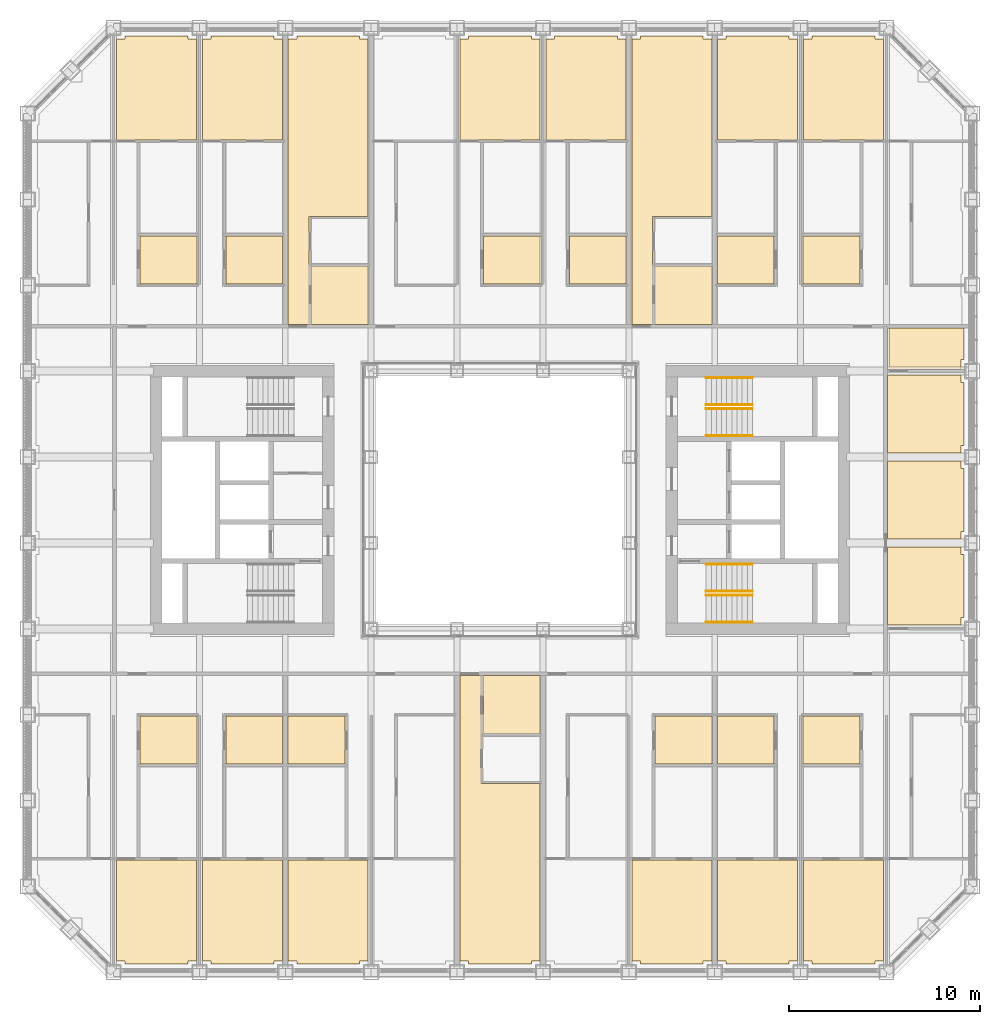
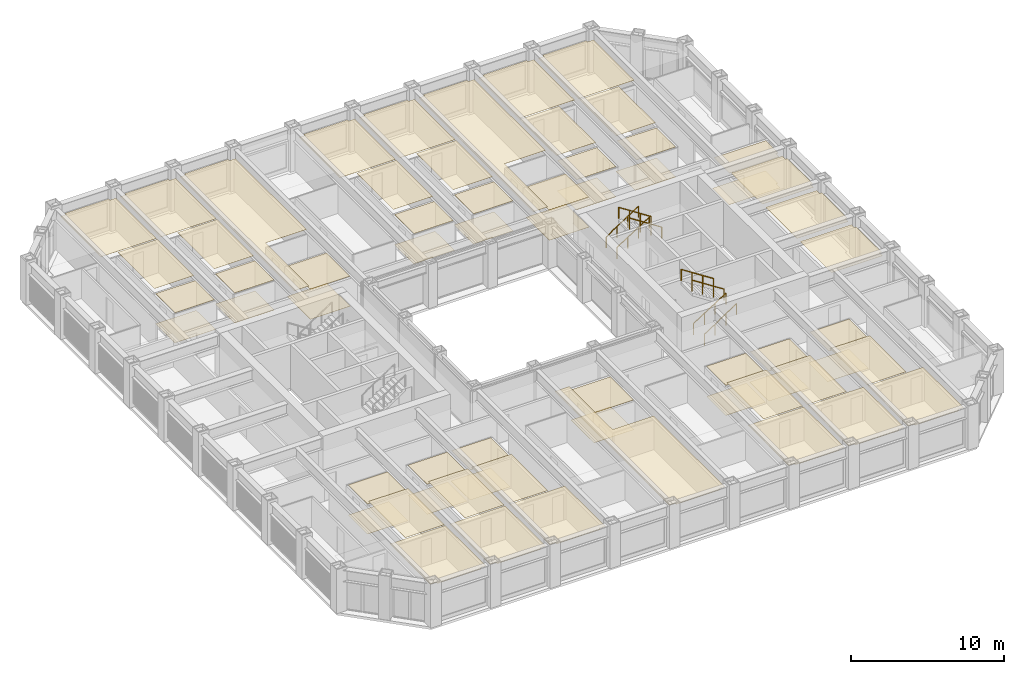
# One storey, part 19 of 20: 8 railings, 3 coverings.
"""IFC4 building model written with IfcOpenShell, lengths in metres."""

from ifc_helpers import new_model, si_unit, direction, frame, origin, origin_2d, place, context, subcontext, project, spatial, line, indexed_curve, circle, outline, extrude, material, layer, layer_set, type_object, element, save


model = new_model("IFC4")

# Units and contexts
model_context = context("Model", 3, precision=1e-05, world=origin(), true_north=direction((0.0, 1.0)))
body_context = subcontext(model_context, "Body", "Model", "MODEL_VIEW")
ifc_project = project(units=[si_unit("LENGTHUNIT", "METRE"), si_unit("AREAUNIT", "SQUARE_METRE"), si_unit("VOLUMEUNIT", "CUBIC_METRE"), si_unit("PLANEANGLEUNIT", "RADIAN"), si_unit("MASSUNIT", "GRAM", prefix="KILO")], contexts=[model_context])

# Site, building, storey
site_placement = place(None, origin())
site = spatial("IfcSite", under=ifc_project, at=site_placement, CompositionType="ELEMENT")
building_placement = place(site_placement, origin())
building = spatial("IfcBuilding", under=site, at=building_placement, Name="Msasa Ring Tower", CompositionType="ELEMENT")
storey_placement = place(building_placement, frame((0.0, 0.0, 61.5)))
storey = spatial("IfcBuildingStorey", under=building, at=storey_placement, Name="L15", CompositionType="ELEMENT", Elevation=61.5)

# Coverings
ifc_material_1 = material(Name="Gypsum plasterboard on a steel suspension grid", Category="steel")
ifc_layer_1 = layer(ifc_material_1, 0.014892578125)
ifc_layer_set_1 = layer_set([ifc_layer_1], Name="C1 SUSPENDED PLASTERBOARD CEILING 15")
covering_type_1 = type_object("IfcCoveringType", Name="C1 SUSPENDED PLASTERBOARD CEILING 15", PredefinedType="CEILING", material=ifc_layer_set_1)
covering_1_placement = place(storey_placement, frame((0.0, 0.0, 2.699951171875)))
element("IfcCovering", 1, at=covering_1_placement, inside=storey, type_object=covering_type_1, Name="Suspended Plasterboard Ceiling 15 L15", PredefinedType="CEILING", context=body_context, shape_type="SweptSolid", body=[
    extrude(outline(indexed_curve([(-15.904296875, -18.85546875), (-15.904296875, -24.1494140625), (-16.3505859375, -24.1494140625), (-16.3505859375, -24.299560546875), (-19.6494140625, -24.299560546875), (-19.6494140625, -24.1494140625), (-20.095703125, -24.1494140625), (-20.095703125, -18.85546875)], segments=[line(1, 2, 3, 4, 5, 6, 7, 8, 1)], self_intersect=False)), origin(), (0.0, 0.0, 1.0), 0.01513671875),
    extrude(outline(indexed_curve([(-20.095703125, 18.85546875), (-20.095703125, 24.1494140625), (-19.6494140625, 24.1494140625), (-19.6494140625, 24.299560546875), (-16.3505859375, 24.299560546875), (-16.3505859375, 24.1494140625), (-15.904296875, 24.1494140625), (-15.904296875, 18.85546875)], segments=[line(1, 2, 3, 4, 5, 6, 7, 8, 1)], self_intersect=False)), origin(), (0.0, 0.0, 1.0), 0.01513671875),
    extrude(outline(indexed_curve([(-15.904296875, -13.98046875), (-15.904296875, -18.744384765625), (-18.869384765625, -18.744384765625), (-18.869384765625, -13.98046875)], segments=[line(1, 2, 3, 4, 1)], self_intersect=False)), origin(), (0.0, 0.0, 1.0), 0.01513671875),
    extrude(outline(indexed_curve([(-18.869384765625, 18.744384765625), (-15.904296875, 18.744384765625), (-15.904296875, 13.98046875), (-18.869384765625, 13.98046875)], segments=[line(1, 2, 3, 4, 1)], self_intersect=False)), origin(), (0.0, 0.0, 1.0), 0.01513671875),
    extrude(outline(indexed_curve([(-15.1494140625, -24.299560546875), (-15.1494140625, -24.1494140625), (-15.595703125, -24.1494140625), (-15.595703125, -18.85546875), (-11.404296875, -18.85546875), (-11.404296875, -24.1494140625), (-11.8505859375, -24.1494140625), (-11.8505859375, -24.299560546875)], segments=[line(1, 2, 3, 4, 5, 6, 7, 8, 1)], self_intersect=False)), origin(), (0.0, 0.0, 1.0), 0.01513671875),
    extrude(outline(indexed_curve([(-11.8505859375, 24.299560546875), (-11.8505859375, 24.1494140625), (-11.404296875, 24.1494140625), (-11.404296875, 18.85546875), (-15.595703125, 18.85546875), (-15.595703125, 24.1494140625), (-15.1494140625, 24.1494140625), (-15.1494140625, 24.299560546875)], segments=[line(1, 2, 3, 4, 5, 6, 7, 8, 1)], self_intersect=False)), origin(), (0.0, 0.0, 1.0), 0.01513671875),
    extrude(outline(indexed_curve([(-11.404296875, -13.98046875), (-11.404296875, -18.744384765625), (-14.369384765625, -18.744384765625), (-14.369384765625, -13.98046875)], segments=[line(1, 2, 3, 4, 1)], self_intersect=False)), origin(), (0.0, 0.0, 1.0), 0.01513671875),
    extrude(outline(indexed_curve([(-11.404296875, 18.744384765625), (-11.404296875, 13.98046875), (-14.369384765625, 13.98046875), (-14.369384765625, 18.744384765625)], segments=[line(1, 2, 3, 4, 1)], self_intersect=False)), origin(), (0.0, 0.0, 1.0), 0.01513671875),
    extrude(outline(indexed_curve([(-10.6494140625, -24.299560546875), (-10.6494140625, -24.1494140625), (-11.095703125, -24.1494140625), (-11.095703125, -18.85546875), (-6.904296875, -18.85546875), (-6.904296875, -24.1494140625), (-7.3505859375, -24.1494140625), (-7.3505859375, -24.299560546875)], segments=[line(1, 2, 3, 4, 5, 6, 7, 8, 1)], self_intersect=False)), origin(), (0.0, 0.0, 1.0), 0.01513671875),
    extrude(outline(indexed_curve([(-8.130615234375, -13.98046875), (-8.130615234375, -18.744384765625), (-11.095703125, -18.744384765625), (-11.095703125, -13.98046875)], segments=[line(1, 2, 3, 4, 1)], self_intersect=False)), origin(), (0.0, 0.0, 1.0), 0.01513671875),
    extrude(outline(indexed_curve([(-7.3505859375, 24.299560546875), (-7.3505859375, 24.1494140625), (-6.904296875, 24.1494140625), (-6.904296875, 14.8505859375), (-10.00048828125, 14.8505859375), (-10.00048828125, 9.200439453125), (-11.095703125, 9.200439453125), (-11.095703125, 24.1494140625), (-10.6494140625, 24.1494140625), (-10.6494140625, 24.299560546875)], segments=[line(1, 2, 3, 4, 5, 6, 7, 8, 9, 10, 1)], self_intersect=False)), origin(), (0.0, 0.0, 1.0), 0.01513671875),
    extrude(outline(indexed_curve([(-1.00048828125, -9.200439453125), (-1.00048828125, -14.8505859375), (2.095703125, -14.8505859375), (2.095703125, -24.1494140625), (1.6494140625, -24.1494140625), (1.6494140625, -24.299560546875), (-1.6494140625, -24.299560546875), (-1.6494140625, -24.1494140625), (-2.095703125, -24.1494140625), (-2.095703125, -9.200439453125)], segments=[line(1, 2, 3, 4, 5, 6, 7, 8, 9, 10, 1)], self_intersect=False)), origin(), (0.0, 0.0, 1.0), 0.01513671875),
    extrude(outline(indexed_curve([(1.6494140625, 24.299560546875), (1.6494140625, 24.1494140625), (2.095703125, 24.1494140625), (2.095703125, 18.85546875), (-2.095703125, 18.85546875), (-2.095703125, 24.1494140625), (-1.6494140625, 24.1494140625), (-1.6494140625, 24.299560546875)], segments=[line(1, 2, 3, 4, 5, 6, 7, 8, 1)], self_intersect=False)), origin(), (0.0, 0.0, 1.0), 0.01513671875),
    extrude(outline(indexed_curve([(2.095703125, 18.744384765625), (2.095703125, 13.98046875), (-0.869384765625, 13.98046875), (-0.869384765625, 18.744384765625)], segments=[line(1, 2, 3, 4, 1)], self_intersect=False)), origin(), (0.0, 0.0, 1.0), 0.01513671875),
    extrude(outline(indexed_curve([(6.1494140625, 24.299560546875), (6.1494140625, 24.1494140625), (6.595703125, 24.1494140625), (6.595703125, 18.85546875), (2.404296875, 18.85546875), (2.404296875, 24.1494140625), (2.8505859375, 24.1494140625), (2.8505859375, 24.299560546875)], segments=[line(1, 2, 3, 4, 5, 6, 7, 8, 1)], self_intersect=False)), origin(), (0.0, 0.0, 1.0), 0.01513671875),
    extrude(outline(indexed_curve([(3.630615234375, 18.744384765625), (6.595703125, 18.744384765625), (6.595703125, 13.98046875), (3.630615234375, 13.98046875)], segments=[line(1, 2, 3, 4, 1)], self_intersect=False)), origin(), (0.0, 0.0, 1.0), 0.01513671875),
    extrude(outline(indexed_curve([(11.095703125, -18.85546875), (11.095703125, -24.1494140625), (10.6494140625, -24.1494140625), (10.6494140625, -24.299560546875), (7.3505859375, -24.299560546875), (7.3505859375, -24.1494140625), (6.904296875, -24.1494140625), (6.904296875, -18.85546875)], segments=[line(1, 2, 3, 4, 5, 6, 7, 8, 1)], self_intersect=False)), origin(), (0.0, 0.0, 1.0), 0.01513671875),
    extrude(outline(indexed_curve([(10.6494140625, 24.299560546875), (10.6494140625, 24.1494140625), (11.095703125, 24.1494140625), (11.095703125, 14.8505859375), (7.99951171875, 14.8505859375), (7.99951171875, 9.200439453125), (6.904296875, 9.200439453125), (6.904296875, 24.1494140625), (7.3505859375, 24.1494140625), (7.3505859375, 24.299560546875)], segments=[line(1, 2, 3, 4, 5, 6, 7, 8, 9, 10, 1)], self_intersect=False)), origin(), (0.0, 0.0, 1.0), 0.01513671875),
    extrude(outline(indexed_curve([(11.095703125, -13.98046875), (11.095703125, -18.744384765625), (8.130615234375, -18.744384765625), (8.130615234375, -13.98046875)], segments=[line(1, 2, 3, 4, 1)], self_intersect=False)), origin(), (0.0, 0.0, 1.0), 0.01513671875),
    extrude(outline(indexed_curve([(11.8505859375, -24.299560546875), (11.8505859375, -24.1494140625), (11.404296875, -24.1494140625), (11.404296875, -18.85546875), (15.595703125, -18.85546875), (15.595703125, -24.1494140625), (15.1494140625, -24.1494140625), (15.1494140625, -24.299560546875)], segments=[line(1, 2, 3, 4, 5, 6, 7, 8, 1)], self_intersect=False)), origin(), (0.0, 0.0, 1.0), 0.01513671875),
    extrude(outline(indexed_curve([(14.369384765625, -13.98046875), (14.369384765625, -18.744384765625), (11.404296875, -18.744384765625), (11.404296875, -13.98046875)], segments=[line(1, 2, 3, 4, 1)], self_intersect=False)), origin(), (0.0, 0.0, 1.0), 0.01513671875),
    extrude(outline(indexed_curve([(14.369384765625, 18.744384765625), (14.369384765625, 13.98046875), (11.404296875, 13.98046875), (11.404296875, 18.744384765625)], segments=[line(1, 2, 3, 4, 1)], self_intersect=False)), origin(), (0.0, 0.0, 1.0), 0.01513671875),
    extrude(outline(indexed_curve([(15.1494140625, 24.299560546875), (15.1494140625, 24.1494140625), (15.595703125, 24.1494140625), (15.595703125, 18.85546875), (11.404296875, 18.85546875), (11.404296875, 24.1494140625), (11.8505859375, 24.1494140625), (11.8505859375, 24.299560546875)], segments=[line(1, 2, 3, 4, 5, 6, 7, 8, 1)], self_intersect=False)), origin(), (0.0, 0.0, 1.0), 0.01513671875),
    extrude(outline(indexed_curve([(20.095703125, -18.85546875), (20.095703125, -24.1494140625), (19.6494140625, -24.1494140625), (19.6494140625, -24.299560546875), (16.3505859375, -24.299560546875), (16.3505859375, -24.1494140625), (15.904296875, -24.1494140625), (15.904296875, -18.85546875)], segments=[line(1, 2, 3, 4, 5, 6, 7, 8, 1)], self_intersect=False)), origin(), (0.0, 0.0, 1.0), 0.01513671875),
    extrude(outline(indexed_curve([(18.869384765625, -13.98046875), (18.869384765625, -18.744384765625), (15.904296875, -18.744384765625), (15.904296875, -13.98046875)], segments=[line(1, 2, 3, 4, 1)], self_intersect=False)), origin(), (0.0, 0.0, 1.0), 0.01513671875),
    extrude(outline(indexed_curve([(18.869384765625, 18.744384765625), (18.869384765625, 13.98046875), (15.904296875, 13.98046875), (15.904296875, 18.744384765625)], segments=[line(1, 2, 3, 4, 1)], self_intersect=False)), origin(), (0.0, 0.0, 1.0), 0.01513671875),
    extrude(outline(indexed_curve([(15.904296875, 18.85546875), (15.904296875, 24.1494140625), (16.3505859375, 24.1494140625), (16.3505859375, 24.299560546875), (19.6494140625, 24.299560546875), (19.6494140625, 24.1494140625), (20.095703125, 24.1494140625), (20.095703125, 18.85546875)], segments=[line(1, 2, 3, 4, 5, 6, 7, 8, 1)], self_intersect=False)), origin(), (0.0, 0.0, 1.0), 0.01513671875),
    extrude(outline(indexed_curve([(20.300537109375, -2.460693359375), (24.1494140625, -2.460693359375), (24.1494140625, -2.8505859375), (24.299560546875, -2.8505859375), (24.299560546875, -6.1494140625), (24.1494140625, -6.1494140625), (24.1494140625, -6.539306640625), (20.300537109375, -6.539306640625)], segments=[line(1, 2, 3, 4, 5, 6, 7, 8, 1)], self_intersect=False)), origin(), (0.0, 0.0, 1.0), 0.01513671875),
    extrude(outline(indexed_curve([(20.300537109375, 2.039306640625), (24.1494140625, 2.039306640625), (24.1494140625, 1.6494140625), (24.299560546875, 1.6494140625), (24.299560546875, -1.6494140625), (24.1494140625, -1.6494140625), (24.1494140625, -2.039306640625), (20.300537109375, -2.039306640625)], segments=[line(1, 2, 3, 4, 5, 6, 7, 8, 1)], self_intersect=False)), origin(), (0.0, 0.0, 1.0), 0.01513671875),
    extrude(outline(indexed_curve([(20.300537109375, 6.539306640625), (24.1494140625, 6.539306640625), (24.1494140625, 6.1494140625), (24.299560546875, 6.1494140625), (24.299560546875, 2.8505859375), (24.1494140625, 2.8505859375), (24.1494140625, 2.460693359375), (20.300537109375, 2.460693359375)], segments=[line(1, 2, 3, 4, 5, 6, 7, 8, 1)], self_intersect=False)), origin(), (0.0, 0.0, 1.0), 0.01513671875),
])
ifc_material_2 = material(Name="Moisture-resistant gypsum plasterboard on a steel suspension grid", Category="steel")
ifc_layer_2 = layer(ifc_material_2, 0.014892578125)
ifc_layer_set_2 = layer_set([ifc_layer_2], Name="C2 MOISTURE-RESISTANT PLASTERBOARD CEILING 15")
covering_type_2 = type_object("IfcCoveringType", Name="C2 MOISTURE-RESISTANT PLASTERBOARD CEILING 15", PredefinedType="CEILING", material=ifc_layer_set_2)
covering_2_placement = place(storey_placement, frame((0.0, 0.0, 2.39990234375)))
element("IfcCovering", 2, at=covering_2_placement, inside=storey, type_object=covering_type_2, Name="Moisture-Resistant Plasterboard Ceiling 15 L15", PredefinedType="CEILING", context=body_context, shape_type="SweptSolid", body=[
    extrude(outline(indexed_curve([(-18.869384765625, -11.305419921875), (-15.904296875, -11.305419921875), (-15.904296875, -13.819580078125), (-18.869384765625, -13.819580078125)], segments=[line(1, 2, 3, 4, 1)], self_intersect=False)), origin(), (0.0, 0.0, 1.0), 0.01513671875),
    extrude(outline(indexed_curve([(-18.869384765625, 13.819580078125), (-15.904296875, 13.819580078125), (-15.904296875, 11.305419921875), (-18.869384765625, 11.305419921875)], segments=[line(1, 2, 3, 4, 1)], self_intersect=False)), origin(), (0.0, 0.0, 1.0), 0.01513671875),
    extrude(outline(indexed_curve([(-14.369384765625, -11.305419921875), (-11.404296875, -11.305419921875), (-11.404296875, -13.819580078125), (-14.369384765625, -13.819580078125)], segments=[line(1, 2, 3, 4, 1)], self_intersect=False)), origin(), (0.0, 0.0, 1.0), 0.01513671875),
    extrude(outline(indexed_curve([(-14.369384765625, 13.819580078125), (-11.404296875, 13.819580078125), (-11.404296875, 11.305419921875), (-14.369384765625, 11.305419921875)], segments=[line(1, 2, 3, 4, 1)], self_intersect=False)), origin(), (0.0, 0.0, 1.0), 0.01513671875),
    extrude(outline(indexed_curve([(-8.130615234375, -11.305419921875), (-8.130615234375, -13.819580078125), (-11.095703125, -13.819580078125), (-11.095703125, -11.305419921875)], segments=[line(1, 2, 3, 4, 1)], self_intersect=False)), origin(), (0.0, 0.0, 1.0), 0.01513671875),
    extrude(outline(indexed_curve([(-9.8994140625, 12.24951171875), (-6.904296875, 12.24951171875), (-6.904296875, 9.200439453125), (-9.8994140625, 9.200439453125)], segments=[line(1, 2, 3, 4, 1)], self_intersect=False)), origin(), (0.0, 0.0, 1.0), 0.01513671875),
    extrude(outline(indexed_curve([(-0.8994140625, -9.200439453125), (2.095703125, -9.200439453125), (2.095703125, -12.24951171875), (-0.8994140625, -12.24951171875)], segments=[line(1, 2, 3, 4, 1)], self_intersect=False)), origin(), (0.0, 0.0, 1.0), 0.01513671875),
    extrude(outline(indexed_curve([(-0.869384765625, 13.819580078125), (2.095703125, 13.819580078125), (2.095703125, 11.305419921875), (-0.869384765625, 11.305419921875)], segments=[line(1, 2, 3, 4, 1)], self_intersect=False)), origin(), (0.0, 0.0, 1.0), 0.01513671875),
    extrude(outline(indexed_curve([(3.630615234375, 13.819580078125), (6.595703125, 13.819580078125), (6.595703125, 11.305419921875), (3.630615234375, 11.305419921875)], segments=[line(1, 2, 3, 4, 1)], self_intersect=False)), origin(), (0.0, 0.0, 1.0), 0.01513671875),
    extrude(outline(indexed_curve([(8.1005859375, 12.24951171875), (11.095703125, 12.24951171875), (11.095703125, 9.200439453125), (8.1005859375, 9.200439453125)], segments=[line(1, 2, 3, 4, 1)], self_intersect=False)), origin(), (0.0, 0.0, 1.0), 0.01513671875),
    extrude(outline(indexed_curve([(8.130615234375, -11.305419921875), (11.095703125, -11.305419921875), (11.095703125, -13.819580078125), (8.130615234375, -13.819580078125)], segments=[line(1, 2, 3, 4, 1)], self_intersect=False)), origin(), (0.0, 0.0, 1.0), 0.01513671875),
    extrude(outline(indexed_curve([(14.369384765625, -11.305419921875), (14.369384765625, -13.819580078125), (11.404296875, -13.819580078125), (11.404296875, -11.305419921875)], segments=[line(1, 2, 3, 4, 1)], self_intersect=False)), origin(), (0.0, 0.0, 1.0), 0.01513671875),
    extrude(outline(indexed_curve([(14.369384765625, 13.819580078125), (14.369384765625, 11.305419921875), (11.404296875, 11.305419921875), (11.404296875, 13.819580078125)], segments=[line(1, 2, 3, 4, 1)], self_intersect=False)), origin(), (0.0, 0.0, 1.0), 0.01513671875),
    extrude(outline(indexed_curve([(18.869384765625, -11.305419921875), (18.869384765625, -13.819580078125), (15.904296875, -13.819580078125), (15.904296875, -11.305419921875)], segments=[line(1, 2, 3, 4, 1)], self_intersect=False)), origin(), (0.0, 0.0, 1.0), 0.01513671875),
    extrude(outline(indexed_curve([(18.869384765625, 13.819580078125), (18.869384765625, 11.305419921875), (15.904296875, 11.305419921875), (15.904296875, 13.819580078125)], segments=[line(1, 2, 3, 4, 1)], self_intersect=False)), origin(), (0.0, 0.0, 1.0), 0.01513671875),
    extrude(outline(indexed_curve([(24.299560546875, 8.99951171875), (24.299560546875, 7.3505859375), (24.1494140625, 7.3505859375), (24.1494140625, 6.960693359375), (20.404296875, 6.960693359375), (20.404296875, 8.99951171875)], segments=[line(1, 2, 3, 4, 5, 6, 1)], self_intersect=False)), origin(), (0.0, 0.0, 1.0), 0.01513671875),
])
ifc_material_3 = material(Name="Porcelain floor tiles in adhesive", Category="ceramic")
ifc_layer_3 = layer(ifc_material_3, 0.010009765625)
ifc_layer_set_3 = layer_set([ifc_layer_3], Name="F4 PORCELAIN TILE ON ADHESIVE 10")
covering_type_3 = type_object("IfcCoveringType", Name="F4 PORCELAIN TILE ON ADHESIVE 10", PredefinedType="FLOORING", material=ifc_layer_set_3)
covering_3_placement = place(storey_placement, origin())
element("IfcCovering", 3, at=covering_3_placement, inside=storey, type_object=covering_type_3, Name="Porcelain Tile On Adhesive 10 L15", PredefinedType="FLOORING", context=body_context, shape_type="SweptSolid", body=[
    extrude(outline(indexed_curve([(-15.810546875, -11.305419921875), (-15.810546875, -13.819580078125), (-18.869384765625, -13.819580078125), (-18.869384765625, -11.305419921875)], segments=[line(1, 2, 3, 4, 1)], self_intersect=False)), origin(), (0.0, 0.0, 1.0), 0.010009765625),
    extrude(outline(indexed_curve([(-15.810546875, 13.819580078125), (-15.810546875, 11.305419921875), (-18.869384765625, 11.305419921875), (-18.869384765625, 13.819580078125)], segments=[line(1, 2, 3, 4, 1)], self_intersect=False)), origin(), (0.0, 0.0, 1.0), 0.010009765625),
    extrude(outline(indexed_curve([(-11.37548828125, -11.305419921875), (-11.37548828125, -13.819580078125), (-14.369384765625, -13.819580078125), (-14.369384765625, -11.305419921875)], segments=[line(1, 2, 3, 4, 1)], self_intersect=False)), origin(), (0.0, 0.0, 1.0), 0.010009765625),
    extrude(outline(indexed_curve([(-11.37548828125, 13.819580078125), (-11.37548828125, 11.305419921875), (-14.369384765625, 11.305419921875), (-14.369384765625, 13.819580078125)], segments=[line(1, 2, 3, 4, 1)], self_intersect=False)), origin(), (0.0, 0.0, 1.0), 0.010009765625),
    extrude(outline(indexed_curve([(-8.130615234375, -11.305419921875), (-8.130615234375, -13.819580078125), (-11.12451171875, -13.819580078125), (-11.12451171875, -11.305419921875)], segments=[line(1, 2, 3, 4, 1)], self_intersect=False)), origin(), (0.0, 0.0, 1.0), 0.010009765625),
    extrude(outline(indexed_curve([(-9.87451171875, 9.200439453125), (-9.87451171875, 12.224609375), (-6.87548828125, 12.224609375), (-6.87548828125, 9.200439453125)], segments=[line(1, 2, 3, 4, 1)], self_intersect=False)), origin(), (0.0, 0.0, 1.0), 0.010009765625),
    extrude(outline(indexed_curve([(2.12451171875, -9.200439453125), (2.12451171875, -12.224609375), (-0.87451171875, -12.224609375), (-0.87451171875, -9.200439453125)], segments=[line(1, 2, 3, 4, 1)], self_intersect=False)), origin(), (0.0, 0.0, 1.0), 0.010009765625),
    extrude(outline(indexed_curve([(2.189453125, 13.819580078125), (2.189453125, 11.305419921875), (-0.869384765625, 11.305419921875), (-0.869384765625, 13.819580078125)], segments=[line(1, 2, 3, 4, 1)], self_intersect=False)), origin(), (0.0, 0.0, 1.0), 0.010009765625),
    extrude(outline(indexed_curve([(6.62451171875, 13.819580078125), (6.62451171875, 11.305419921875), (3.630615234375, 11.305419921875), (3.630615234375, 13.819580078125)], segments=[line(1, 2, 3, 4, 1)], self_intersect=False)), origin(), (0.0, 0.0, 1.0), 0.010009765625),
    extrude(outline(indexed_curve([(8.12548828125, 9.200439453125), (8.12548828125, 12.224609375), (11.12451171875, 12.224609375), (11.12451171875, 9.200439453125)], segments=[line(1, 2, 3, 4, 1)], self_intersect=False)), origin(), (0.0, 0.0, 1.0), 0.010009765625),
    extrude(outline(indexed_curve([(11.12451171875, -11.305419921875), (11.12451171875, -13.819580078125), (8.130615234375, -13.819580078125), (8.130615234375, -11.305419921875)], segments=[line(1, 2, 3, 4, 1)], self_intersect=False)), origin(), (0.0, 0.0, 1.0), 0.010009765625),
    extrude(outline(indexed_curve([(14.369384765625, -11.305419921875), (14.369384765625, -13.819580078125), (11.37548828125, -13.819580078125), (11.37548828125, -11.305419921875)], segments=[line(1, 2, 3, 4, 1)], self_intersect=False)), origin(), (0.0, 0.0, 1.0), 0.010009765625),
    extrude(outline(indexed_curve([(14.369384765625, 13.819580078125), (14.369384765625, 11.305419921875), (11.37548828125, 11.305419921875), (11.37548828125, 13.819580078125)], segments=[line(1, 2, 3, 4, 1)], self_intersect=False)), origin(), (0.0, 0.0, 1.0), 0.010009765625),
    extrude(outline(indexed_curve([(18.869384765625, -11.305419921875), (18.869384765625, -13.819580078125), (15.810546875, -13.819580078125), (15.810546875, -11.305419921875)], segments=[line(1, 2, 3, 4, 1)], self_intersect=False)), origin(), (0.0, 0.0, 1.0), 0.010009765625),
    extrude(outline(indexed_curve([(18.869384765625, 13.819580078125), (18.869384765625, 11.305419921875), (15.810546875, 11.305419921875), (15.810546875, 13.819580078125)], segments=[line(1, 2, 3, 4, 1)], self_intersect=False)), origin(), (0.0, 0.0, 1.0), 0.010009765625),
    extrude(outline(indexed_curve([(20.300537109375, 8.99951171875), (24.299560546875, 8.99951171875), (24.299560546875, 7.3505859375), (24.1494140625, 7.3505859375), (24.1494140625, 6.83056640625), (20.300537109375, 6.83056640625)], segments=[line(1, 2, 3, 4, 5, 6, 1)], self_intersect=False)), origin(), (0.0, 0.0, 1.0), 0.010009765625),
])

# Railings
ifc_material_4 = material(Name="Stainless steel", Category="steel")
railing_type = type_object("IfcRailingType", Name="HR1 HANDRAIL 900", PredefinedType="HANDRAIL", material=ifc_material_4)
for number, where, name in (
    (4, (10.800048828125, -6.39990234375, 0.175048828125), "Handrail stair SEA L15 1"),
    (5, (10.800048828125, -5.0, 0.175048828125), "Handrail stair SEA L15 2"),
):
    element("IfcRailing", number, at=place(storey_placement, frame(where)), inside=storey, type_object=railing_type, Name=name, PredefinedType="HANDRAIL", context=body_context, shape_type="SweptSolid", body=[
        extrude(circle(Radius=0.02392578125, at=origin_2d()), frame((0.0, 0.0, 0.8759765625), z_axis=(0.839153699163, 0.0, 0.543894354798), x_axis=(0.0, 1.0, 0.0)), (0.0, 0.0, 1.0), 2.895751953125),
        extrude(circle(Radius=0.02099609375, at=origin_2d()), origin(), (0.0, 0.0, 1.0), 0.851806640625),
        extrude(circle(Radius=0.02099609375, at=origin_2d()), frame((0.81005859375, 0.0, 0.52490234375)), (0.0, 0.0, 1.0), 0.851806640625),
        extrude(circle(Radius=0.02099609375, at=origin_2d()), frame((1.619873046875, 0.0, 1.050048828125)), (0.0, 0.0, 1.0), 0.851806640625),
        extrude(circle(Radius=0.02099609375, at=origin_2d()), frame((2.429931640625, 0.0, 1.574951171875)), (0.0, 0.0, 1.0), 0.851806640625),
    ])
for number, where, name in (
    (6, (13.22998046875, -4.77490234375, 1.925048828125), "Handrail stair SEA L15 3"),
    (7, (13.22998046875, -3.375, 1.925048828125), "Handrail stair SEA L15 4"),
):
    element("IfcRailing", number, at=place(storey_placement, frame(where)), inside=storey, type_object=railing_type, Name=name, PredefinedType="HANDRAIL", context=body_context, shape_type="SweptSolid", body=[
        extrude(circle(Radius=0.02392578125, at=origin_2d()), frame((0.0, 0.0, 0.8759765625), z_axis=(-0.839153699163, 0.0, 0.543894354798), x_axis=(0.0, -1.0, 0.0)), (0.0, 0.0, 1.0), 2.895751953125),
        extrude(circle(Radius=0.02099609375, at=origin_2d()), origin(), (0.0, 0.0, 1.0), 0.851806640625),
        extrude(circle(Radius=0.02099609375, at=origin_2d()), frame((-0.81005859375, 0.0, 0.52490234375)), (0.0, 0.0, 1.0), 0.851806640625),
        extrude(circle(Radius=0.02099609375, at=origin_2d()), frame((-1.619873046875, 0.0, 1.050048828125)), (0.0, 0.0, 1.0), 0.851806640625),
        extrude(circle(Radius=0.02099609375, at=origin_2d()), frame((-2.429931640625, 0.0, 1.574951171875)), (0.0, 0.0, 1.0), 0.851806640625),
    ])
for number, where, name in (
    (8, (10.800048828125, 5.0, 0.175048828125), "Handrail stair SEB L15 1"),
    (9, (10.800048828125, 6.39990234375, 0.175048828125), "Handrail stair SEB L15 2"),
):
    element("IfcRailing", number, at=place(storey_placement, frame(where)), inside=storey, type_object=railing_type, Name=name, PredefinedType="HANDRAIL", context=body_context, shape_type="SweptSolid", body=[
        extrude(circle(Radius=0.02392578125, at=origin_2d()), frame((0.0, 0.0, 0.8759765625), z_axis=(0.839153699163, 0.0, 0.543894354798), x_axis=(0.0, 1.0, 0.0)), (0.0, 0.0, 1.0), 2.895751953125),
        extrude(circle(Radius=0.02099609375, at=origin_2d()), origin(), (0.0, 0.0, 1.0), 0.851806640625),
        extrude(circle(Radius=0.02099609375, at=origin_2d()), frame((0.81005859375, 0.0, 0.52490234375)), (0.0, 0.0, 1.0), 0.851806640625),
        extrude(circle(Radius=0.02099609375, at=origin_2d()), frame((1.619873046875, 0.0, 1.050048828125)), (0.0, 0.0, 1.0), 0.851806640625),
        extrude(circle(Radius=0.02099609375, at=origin_2d()), frame((2.429931640625, 0.0, 1.574951171875)), (0.0, 0.0, 1.0), 0.851806640625),
    ])
for number, where, name in (
    (10, (13.22998046875, 3.375, 1.925048828125), "Handrail stair SEB L15 3"),
    (11, (13.22998046875, 4.77490234375, 1.925048828125), "Handrail stair SEB L15 4"),
):
    element("IfcRailing", number, at=place(storey_placement, frame(where)), inside=storey, type_object=railing_type, Name=name, PredefinedType="HANDRAIL", context=body_context, shape_type="SweptSolid", body=[
        extrude(circle(Radius=0.02392578125, at=origin_2d()), frame((0.0, 0.0, 0.8759765625), z_axis=(-0.839153699163, 0.0, 0.543894354798), x_axis=(0.0, -1.0, 0.0)), (0.0, 0.0, 1.0), 2.895751953125),
        extrude(circle(Radius=0.02099609375, at=origin_2d()), origin(), (0.0, 0.0, 1.0), 0.851806640625),
        extrude(circle(Radius=0.02099609375, at=origin_2d()), frame((-0.81005859375, 0.0, 0.52490234375)), (0.0, 0.0, 1.0), 0.851806640625),
        extrude(circle(Radius=0.02099609375, at=origin_2d()), frame((-1.619873046875, 0.0, 1.050048828125)), (0.0, 0.0, 1.0), 0.851806640625),
        extrude(circle(Radius=0.02099609375, at=origin_2d()), frame((-2.429931640625, 0.0, 1.574951171875)), (0.0, 0.0, 1.0), 0.851806640625),
    ])

save(model, "model.ifc")
